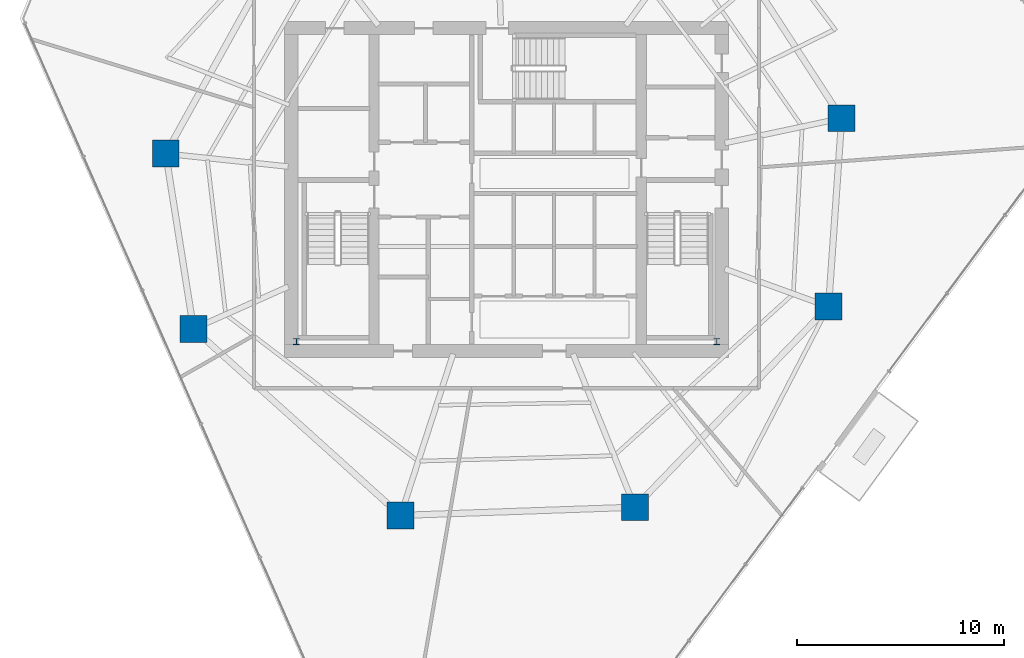
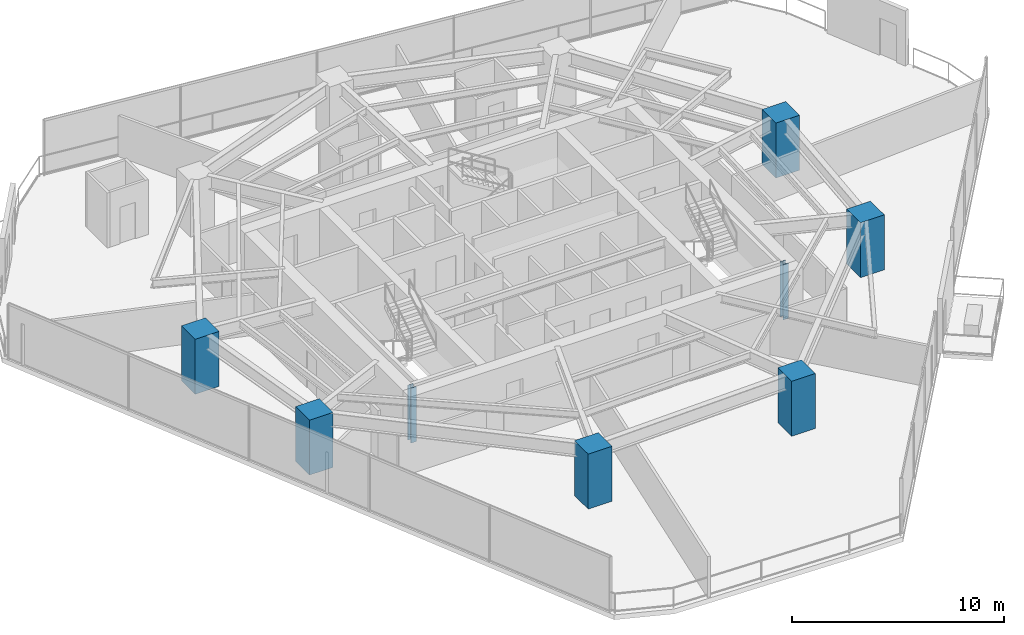
# One storey, part 1 of 28: 8 columns.
"""IFC4 building model written with IfcOpenShell, lengths in metres."""

from ifc_helpers import new_model, si_unit, direction, frame, origin, origin_2d, place, context, subcontext, project, spatial, rectangle, i_section, extrude, material, material_profile, profile_set, type_object, element, save


model = new_model("IFC4")

# Units and contexts
model_context = context("Model", 3, precision=1e-05, world=origin(), true_north=direction((0.0, 1.0)))
body_context = subcontext(model_context, "Body", "Model", "MODEL_VIEW")
ifc_project = project(units=[si_unit("LENGTHUNIT", "METRE"), si_unit("AREAUNIT", "SQUARE_METRE"), si_unit("VOLUMEUNIT", "CUBIC_METRE"), si_unit("PLANEANGLEUNIT", "RADIAN"), si_unit("MASSUNIT", "GRAM", prefix="KILO")], contexts=[model_context])

# Site, building, storey
site_placement = place(None, origin())
site = spatial("IfcSite", under=ifc_project, at=site_placement, CompositionType="ELEMENT")
building_placement = place(site_placement, origin())
building = spatial("IfcBuilding", under=site, at=building_placement, Name="Qarnah Convention Tower", CompositionType="ELEMENT")
storey_placement = place(building_placement, frame((0.0, 0.0, 44.25)))
storey = spatial("IfcBuildingStorey", under=building, at=storey_placement, Name="L10", CompositionType="ELEMENT", Elevation=44.25)

# Columns
ifc_material_1 = material(Name="Concrete C60/75", Category="concrete")
ifc_material_profile_1 = material_profile(ifc_material_1, rectangle(XDim=1.300048828125, YDim=1.300048828125, at=origin_2d()), Name="RC-COL-1300X1300")
ifc_profile_set_1 = profile_set([ifc_material_profile_1], Name="Concrete C60/75")
column_type_1 = type_object("IfcColumnType", Name="COL-Z1-1300", PredefinedType="COLUMN", material=ifc_profile_set_1)
for number, where, z_axis, x_axis, name in (
    (1, (53.387939453125, 29.841064453125, 0.0), (0.0, 0.0, 1.0), (1.0, 0.0, 0.0), "L10 plumb column PC-Z1-01"),
    (2, (20.740966796875, 28.1298828125, 0.0), (0.0, 0.0, 1.0), (1.0, 0.0, 0.0), "L10 plumb column PC-Z1-05"),
    (3, (22.0810546875, 19.6689453125, 0.0), (0.0, 0.0, 1.0), (1.0, 0.0, 0.0), "L10 plumb column PC-Z1-06"),
    (4, (32.0859375, 10.659912109375, 0.0), (0.0, 0.0, 1.0), (1.0, 0.0, 0.0), "L10 plumb column PC-Z1-07"),
    (5, (43.39990234375, 11.054931640625, 0.0), (0.0, 0.0, 1.0), (1.0, 0.0, 0.0), "L10 plumb column PC-Z1-08"),
    (6, (52.751953125, 20.739990234375, 0.0), (0.0, 0.0, 1.0), (1.0, 0.0, 0.0), "L10 plumb column PC-Z1-09"),
):
    element("IfcColumn", number, at=place(storey_placement, frame(where, z_axis=z_axis, x_axis=x_axis)), inside=storey, type_object=column_type_1, Name=name, PredefinedType="COLUMN", context=body_context, shape_type="SweptSolid", body=[
        extrude(rectangle(XDim=1.300048828125, YDim=1.300048828125, at=origin_2d()), origin(), (0.0, 0.0, 1.0), 3.169921875),
    ])
ifc_material_2 = material(Name="Structural steel S355JR", Category="steel")
ifc_material_profile_2 = material_profile(ifc_material_2, i_section(OverallWidth=0.300048828125, OverallDepth=0.300048828125, WebThickness=0.010986328125, FlangeThickness=0.01904296875, at=origin_2d()), Name="HEB300")
ifc_profile_set_2 = profile_set([ifc_material_profile_2], Name="Structural steel S355JR")
column_type_2 = type_object("IfcColumnType", Name="PIL-SHF-300", PredefinedType="PILASTER", material=ifc_profile_set_2)
for number, where, z_axis, x_axis, name in (
    (7, (27.050048828125, 19.050048828125, 0.0), (0.0, 0.0, 1.0), (1.0, 0.0, 0.0), "L10 core spine steel pilaster 1"),
    (8, (47.35009765625, 19.050048828125, 0.0), (0.0, 0.0, 1.0), (1.0, 0.0, 0.0), "L10 core spine steel pilaster 2"),
):
    element("IfcColumn", number, at=place(storey_placement, frame(where, z_axis=z_axis, x_axis=x_axis)), inside=storey, type_object=column_type_2, Name=name, PredefinedType="PILASTER", context=body_context, shape_type="SweptSolid", body=[
        extrude(i_section(OverallWidth=0.300048828125, OverallDepth=0.300048828125, WebThickness=0.010986328125, FlangeThickness=0.01904296875, at=origin_2d()), origin(), (0.0, 0.0, 1.0), 3.169921875),
    ])

save(model, "model.ifc")
